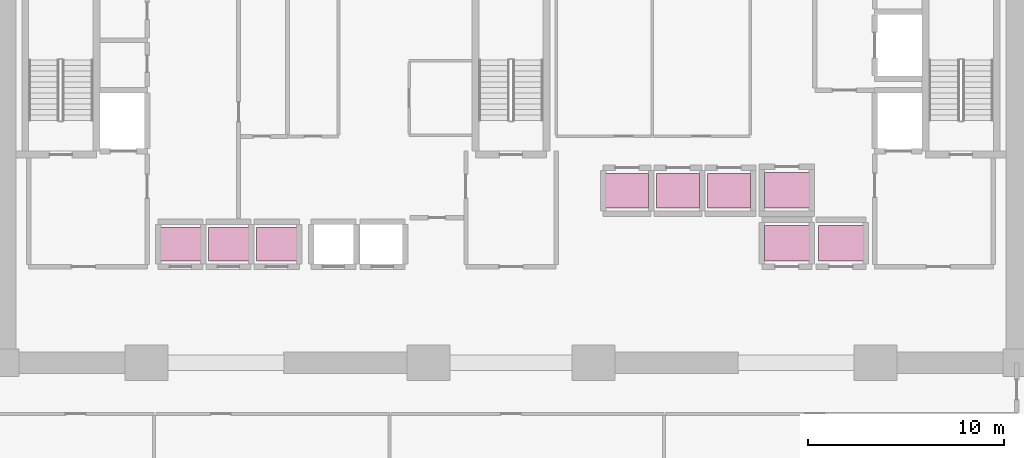
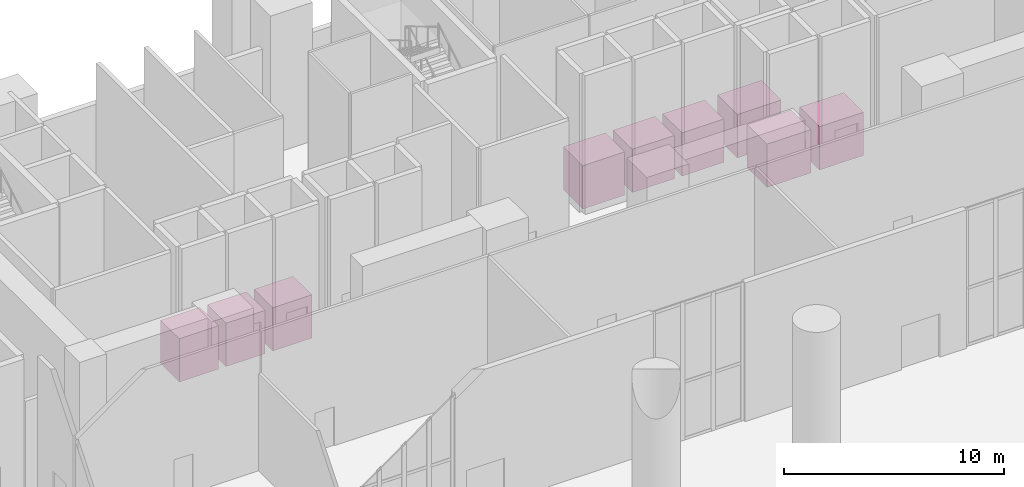
# One storey, part 17 of 17: 9 transport elements.
"""IFC4 building model written with IfcOpenShell, lengths in metres."""

from ifc_helpers import new_model, si_unit, direction, frame, origin, origin_2d, place, context, subcontext, project, spatial, rectangle, extrude, material, type_object, element, save


model = new_model("IFC4")

# Units and contexts
model_context = context("Model", 3, precision=1e-05, world=origin(), true_north=direction((0.0, 1.0)))
body_context = subcontext(model_context, "Body", "Model", "MODEL_VIEW")
ifc_project = project(units=[si_unit("LENGTHUNIT", "METRE"), si_unit("AREAUNIT", "SQUARE_METRE"), si_unit("VOLUMEUNIT", "CUBIC_METRE"), si_unit("PLANEANGLEUNIT", "RADIAN"), si_unit("MASSUNIT", "GRAM", prefix="KILO")], contexts=[model_context])

# Site, building, storey
site_placement = place(None, origin())
site = spatial("IfcSite", under=ifc_project, at=site_placement, CompositionType="ELEMENT")
building_placement = place(site_placement, origin())
building = spatial("IfcBuilding", under=site, at=building_placement, Name="Kaelvorn Grand Hotel", CompositionType="ELEMENT")
storey_placement = place(building_placement, origin())
storey = spatial("IfcBuildingStorey", under=building, at=storey_placement, Name="L00", CompositionType="ELEMENT", Elevation=0.0)

# Transport elements
ifc_material = material(Name="Stainless Steel Cab", Category="steel")
transport_element_type_1 = type_object("IfcTransportElementType", Name="LFT-HOTEL-1600KG", PredefinedType="ELEVATOR", material=ifc_material)
for number, where, z_axis, x_axis, name in (
    (1, (25.14990234375, 35.449951171875, 0.0), (0.0, 0.0, 1.0), (1.0, 0.0, 0.0), "Low-Rise Passenger Lift PL-L1"),
    (2, (27.60009765625, 35.449951171875, 0.0), (0.0, 0.0, 1.0), (1.0, 0.0, 0.0), "Low-Rise Passenger Lift PL-L2"),
    (3, (30.050048828125, 35.449951171875, 0.0), (0.0, 0.0, 1.0), (1.0, 0.0, 0.0), "Low-Rise Passenger Lift PL-L3"),
):
    element("IfcTransportElement", number, at=place(storey_placement, frame(where, z_axis=z_axis, x_axis=x_axis)), inside=storey, type_object=transport_element_type_1, Name=name, PredefinedType="ELEVATOR", context=body_context, shape_type="SweptSolid", body=[
        extrude(rectangle(XDim=2.050048828125, YDim=1.699951171875, at=origin_2d()), origin(), (0.0, 0.0, 1.0), 2.39990234375),
    ])
transport_element_type_2 = type_object("IfcTransportElementType", Name="LFT-OBS-2000KG", PredefinedType="ELEVATOR", material=ifc_material)
for number, where, z_axis, x_axis, name in (
    (4, (56.074951171875, 35.5, 0.0), (0.0, 0.0, 1.0), (1.0, 0.0, 0.0), "Express Observation Shuttle Lift OL-1"),
    (5, (58.824951171875, 35.5, 0.0), (0.0, 0.0, 1.0), (1.0, 0.0, 0.0), "Express Observation Shuttle Lift OL-2"),
    (6, (56.074951171875, 38.199951171875, 0.0), (0.0, 0.0, 1.0), (1.0, 0.0, 0.0), "Express Observation Shuttle Lift OL-3"),
):
    element("IfcTransportElement", number, at=place(storey_placement, frame(where, z_axis=z_axis, x_axis=x_axis)), inside=storey, type_object=transport_element_type_2, Name=name, PredefinedType="ELEVATOR", context=body_context, shape_type="SweptSolid", body=[
        extrude(rectangle(XDim=2.300048828125, YDim=1.800048828125, at=origin_2d()), origin(), (0.0, 0.0, 1.0), 2.39990234375),
    ])
transport_element_type_3 = type_object("IfcTransportElementType", Name="LFT-SHUTTLE-1800KG", PredefinedType="ELEVATOR", material=ifc_material)
for number, where, z_axis, x_axis, name in (
    (7, (47.925048828125, 38.175048828125, 0.0), (0.0, 0.0, 1.0), (1.0, 0.0, 0.0), "Sky-Lobby Shuttle Lift SL-1"),
    (8, (50.52490234375, 38.175048828125, 0.0), (0.0, 0.0, 1.0), (1.0, 0.0, 0.0), "Sky-Lobby Shuttle Lift SL-2"),
    (9, (53.125, 38.175048828125, 0.0), (0.0, 0.0, 1.0), (1.0, 0.0, 0.0), "Sky-Lobby Shuttle Lift SL-3"),
):
    element("IfcTransportElement", number, at=place(storey_placement, frame(where, z_axis=z_axis, x_axis=x_axis)), inside=storey, type_object=transport_element_type_3, Name=name, PredefinedType="ELEVATOR", context=body_context, shape_type="SweptSolid", body=[
        extrude(rectangle(XDim=2.199951171875, YDim=1.75, at=origin_2d()), origin(), (0.0, 0.0, 1.0), 2.39990234375),
    ])

save(model, "model.ifc")
